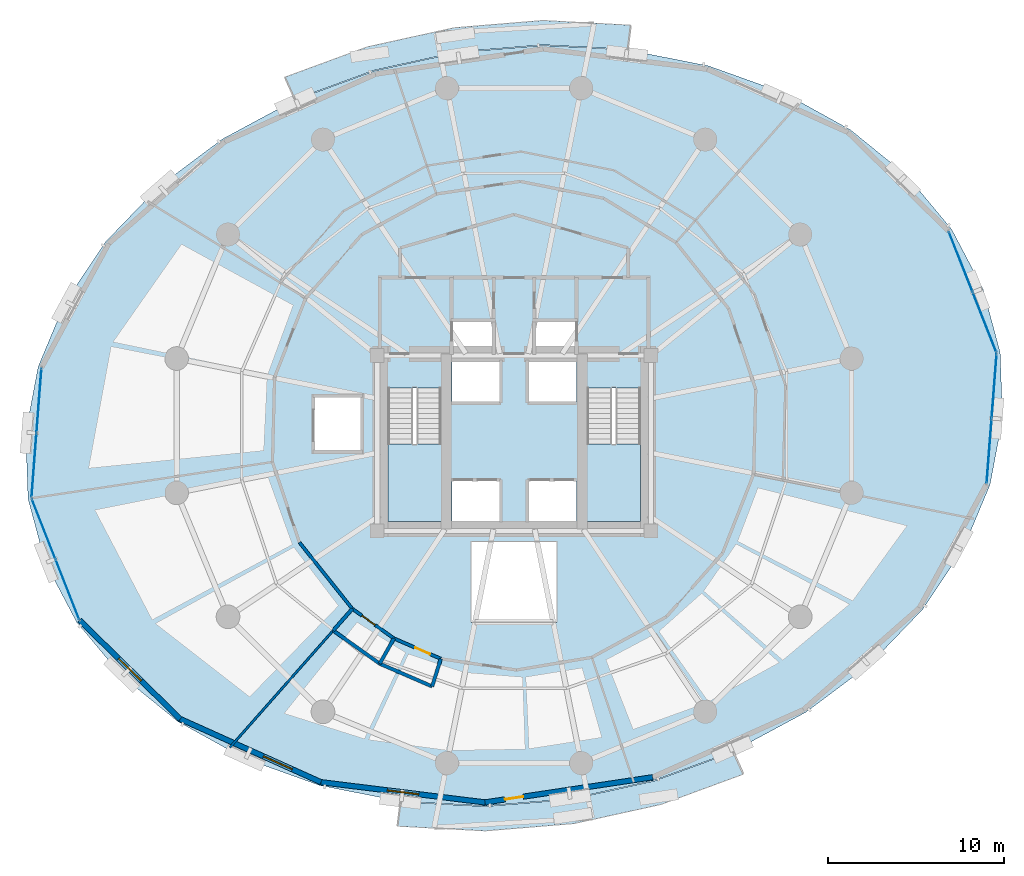
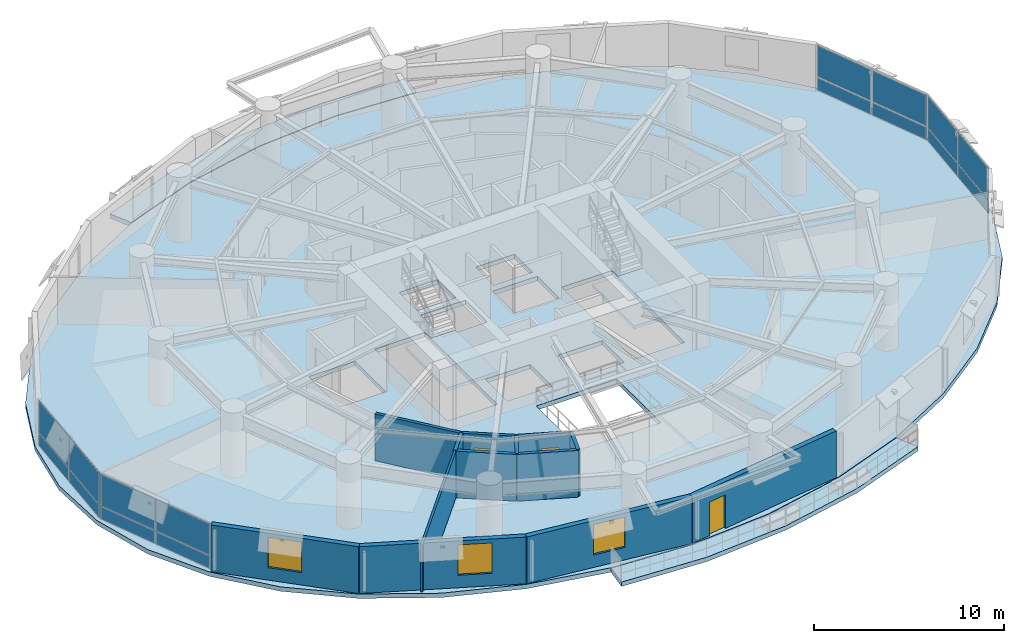
# One storey, part 11 of 17: 16 plates, 13 walls, 5 slabs, 3 doors, 3 windows, 6 openings, 6 elements without a shape of their own.
"""IFC4 building model written with IfcOpenShell, lengths in metres."""

import ifcopenshell
import ifcopenshell.guid

model = None  # the IFC model being written
_history = None  # IfcOwnerHistory: only IFC2X3 demands one
_inside = {}  # id of a spatial element -> (the spatial element, [elements in it])
_under = {}  # id of a project, library or spatial element -> (it, [spatial elements below it])
_declared = {}  # id of a project -> (the project, [libraries it declares])
_typed = {}  # id of a type object -> (the type object, [elements of that type])
_made_of = {}  # id of a material, layer set ... -> (it, [elements and type objects made of it])


def new_model(schema):
    """Start an empty IFC model of exactly this schema.

    Asked for "IFC4X3", IfcOpenShell would pick the latest addendum, in which some entities
    have other attributes; the version numbers below select the first issue.
    IFC2X3 requires an IfcOwnerHistory on every rooted entity: one is made here for all.
    """
    global model, _history
    if schema == "IFC4X3":
        model = ifcopenshell.file(schema_version=(4, 3, 0, 0))
    else:
        model = ifcopenshell.file(schema=schema)
    _inside.clear()
    _under.clear()
    _declared.clear()
    _typed.clear()
    _made_of.clear()
    _history = None
    if model.schema == "IFC2X3":
        org = make("IfcOrganization", Name="unknown")
        user = make(
            "IfcPersonAndOrganization",
            ThePerson=make("IfcPerson", FamilyName="unknown"),
            TheOrganization=org,
        )
        app = make(
            "IfcApplication",
            ApplicationDeveloper=org,
            Version="unknown",
            ApplicationFullName="unknown",
            ApplicationIdentifier="unknown",
        )
        _history = make(
            "IfcOwnerHistory",
            OwningUser=user,
            OwningApplication=app,
            ChangeAction="ADDED",
            CreationDate=0,
        )
    return model


def make(cls, **values):
    """One entity of the class cls with the attributes given. An attribute that is None is left unset."""
    return model.create_entity(
        cls, **{name: value for name, value in values.items() if value is not None}
    )


def rooted(cls, **values):
    """An entity with a GlobalId (a new one), such as an element, a storey or a relation."""
    return make(cls, GlobalId=ifcopenshell.guid.new(), OwnerHistory=_history, **values)


def si_unit(unit_type, name, prefix=None):
    """IfcSIUnit, for example si_unit("LENGTHUNIT", "METRE", prefix="MILLI")."""
    return make("IfcSIUnit", UnitType=unit_type, Prefix=prefix, Name=name)


def assignment(units):
    """IfcUnitAssignment: the units of a project."""
    return None if units is None else make("IfcUnitAssignment", Units=units)


def point(xyz):
    """IfcCartesianPoint."""
    return None if xyz is None else make("IfcCartesianPoint", Coordinates=xyz)


def direction(xyz):
    """IfcDirection."""
    return None if xyz is None else make("IfcDirection", DirectionRatios=xyz)


def frame(location, z_axis=None, x_axis=None):
    """IfcAxis2Placement3D, a coordinate frame: its origin and axes. An axis left out is left unset."""
    return make(
        "IfcAxis2Placement3D",
        Location=point(location),
        Axis=direction(z_axis),
        RefDirection=direction(x_axis),
    )


def frame_2d(location, x_axis=None):
    """IfcAxis2Placement2D, a coordinate frame in the plane: its origin and x axis."""
    return make(
        "IfcAxis2Placement2D", Location=point(location), RefDirection=direction(x_axis)
    )


def origin():
    """The frame at (0, 0, 0) with its axes left unset."""
    return frame((0.0, 0.0, 0.0))


def origin_2d():
    """The frame at (0, 0) in the plane with its x axis left unset."""
    return frame_2d((0.0, 0.0))


def place(relative_to, where):
    """IfcLocalPlacement: puts the frame where relative to a parent placement (None: the world)."""
    return make(
        "IfcLocalPlacement", PlacementRelTo=relative_to, RelativePlacement=where
    )


def context(
    kind, dimensions, precision=None, world=None, true_north=None, identifier=None
):
    """IfcGeometricRepresentationContext, for example the 3D "Model" context."""
    return make(
        "IfcGeometricRepresentationContext",
        ContextIdentifier=identifier,
        ContextType=kind,
        CoordinateSpaceDimension=dimensions,
        Precision=precision,
        WorldCoordinateSystem=world,
        TrueNorth=true_north,
    )


def subcontext(parent, identifier, kind, view, scale=None):
    """IfcGeometricRepresentationSubContext, for example "Body" below "Model"."""
    return make(
        "IfcGeometricRepresentationSubContext",
        ContextIdentifier=identifier,
        ContextType=kind,
        ParentContext=parent,
        TargetScale=scale,
        TargetView=view,
    )


def project(units=None, contexts=None):
    """IfcProject with its units and contexts."""
    return rooted(
        "IfcProject",
        Name="project",
        RepresentationContexts=contexts,
        UnitsInContext=assignment(units),
    )


def spatial(cls, under=None, at=None, **own):
    """A site, building, storey or space (cls), placed at a placement, below another one or the project."""
    s = rooted(cls, ObjectPlacement=at, **own)
    if under is not None:
        _under.setdefault(under.id(), (under, []))[1].append(s)
    return s


def polyline(points):
    """IfcPolyline through the points."""
    return make("IfcPolyline", Points=[point(p) for p in points])


def profile(cls, at=None, kind="AREA", **sizes):
    """A parametric profile (cls). Its sizes go by their IFC names, for example OverallWidth=200.0."""
    return make(cls, ProfileType=kind, Position=at, **sizes)


def rectangle(**sizes):
    """IfcRectangleProfileDef."""
    return profile("IfcRectangleProfileDef", **sizes)


def outline(outer, holes=None, kind="AREA"):
    """IfcArbitraryClosedProfileDef: a profile drawn as a closed curve; with holes, ...WithVoids."""
    if holes is None:
        return make("IfcArbitraryClosedProfileDef", ProfileType=kind, OuterCurve=outer)
    return make(
        "IfcArbitraryProfileDefWithVoids",
        ProfileType=kind,
        OuterCurve=outer,
        InnerCurves=holes,
    )


def extrude(swept, where, along, depth):
    """IfcExtrudedAreaSolid: the profile swept, set in the frame where, extruded along a direction by depth."""
    return make(
        "IfcExtrudedAreaSolid",
        SweptArea=swept,
        Position=where,
        ExtrudedDirection=direction(along),
        Depth=depth,
    )


def shape(context_of_items, identifier, shape_type, items):
    """IfcShapeRepresentation: the items that make up one representation, for example the "Body"."""
    return make(
        "IfcShapeRepresentation",
        ContextOfItems=context_of_items,
        RepresentationIdentifier=identifier,
        RepresentationType=shape_type,
        Items=items,
    )


def material(Name=None, Category=None):
    """IfcMaterial."""
    return make("IfcMaterial", Name=Name, Category=Category)


def layer(
    of_material, thickness, ventilated=None, Name=None, Category=None, Priority=None
):
    """IfcMaterialLayer: one layer of a wall or slab, of a material (None: an air gap)."""
    return make(
        "IfcMaterialLayer",
        Material=of_material,
        LayerThickness=thickness,
        IsVentilated=ventilated,
        Name=Name,
        Category=Category,
        Priority=Priority,
    )


def layer_set(layers, Name=None):
    """IfcMaterialLayerSet."""
    return make("IfcMaterialLayerSet", MaterialLayers=layers, LayerSetName=Name)


def made_of(thing, what):
    """Note that an element or type object is made of a material, layer set ...; save() writes the relation."""
    if what is not None:
        _made_of.setdefault(what.id(), (what, []))[1].append(thing)
    return thing


def type_object(cls, material=None, **own):
    """A type object (cls), such as IfcWallType, which elements share."""
    return made_of(rooted(cls, **own), material)


def element(
    cls,
    number,
    at=None,
    inside=None,
    cuts=None,
    type_object=None,
    material=None,
    context=None,
    identifier="Body",
    shape_type=None,
    held_by="IfcProductDefinitionShape",
    body=None,
    shapes=None,
    **own,
):
    """One element of the class cls, such as IfcWall. Its Tag is "e" and its number.

    at: its placement. inside: the storey or other place that contains it. cuts: it is an
    opening in that element (IfcRelVoidsElement). A single representation is given by context,
    identifier, shape_type and body (its items); several are given by shapes. held_by: the class
    of the entity that holds the representations. save() writes the other relations.
    """
    e = rooted(cls, Tag="e%d" % number, ObjectPlacement=at, **own)
    if body is not None:
        shapes = [shape(context, identifier, shape_type, body)]
    if shapes is not None:
        e.Representation = make(held_by, Representations=shapes)
    if inside is not None:
        _inside.setdefault(inside.id(), (inside, []))[1].append(e)
    if cuts is not None:
        rooted(
            "IfcRelVoidsElement", RelatingBuildingElement=cuts, RelatedOpeningElement=e
        )
    if type_object is not None:
        _typed.setdefault(type_object.id(), (type_object, []))[1].append(e)
    return made_of(e, material)


def fill(opening, filler):
    """IfcRelFillsElement: the door or window that sits in an opening."""
    return rooted(
        "IfcRelFillsElement",
        RelatingOpeningElement=opening,
        RelatedBuildingElement=filler,
    )


def aggregate(whole, parts):
    """IfcRelAggregates: a whole, such as a stair, and the parts it consists of."""
    return rooted("IfcRelAggregates", RelatingObject=whole, RelatedObjects=parts)


def save(model, path):
    """Write the relations noted so far, then the file.

    IfcRelAggregates (storeys below a building ...), IfcRelContainedInSpatialStructure (elements
    in a storey), IfcRelDefinesByType, IfcRelAssociatesMaterial and IfcRelDeclares: one each for
    every whole, place, type object, material and project.
    """
    for whole, parts in _under.values():
        aggregate(whole, parts)
    for where, things in _inside.values():
        rooted(
            "IfcRelContainedInSpatialStructure",
            RelatedElements=things,
            RelatingStructure=where,
        )
    for kind, things in _typed.values():
        rooted("IfcRelDefinesByType", RelatedObjects=things, RelatingType=kind)
    for what, things in _made_of.values():
        rooted("IfcRelAssociatesMaterial", RelatedObjects=things, RelatingMaterial=what)
    for by, libraries in _declared.values():
        rooted("IfcRelDeclares", RelatingContext=by, RelatedDefinitions=libraries)
    model.write(path)


model = new_model("IFC4")

# Units and contexts
model_context = context("Model", 3, precision=1e-05, world=origin(), true_north=direction((0.0, 1.0)))
body_context = subcontext(model_context, "Body", "Model", "MODEL_VIEW")
ifc_project = project(units=[si_unit("LENGTHUNIT", "METRE"), si_unit("AREAUNIT", "SQUARE_METRE"), si_unit("VOLUMEUNIT", "CUBIC_METRE"), si_unit("PLANEANGLEUNIT", "RADIAN"), si_unit("MASSUNIT", "GRAM", prefix="KILO"), si_unit("THERMODYNAMICTEMPERATUREUNIT", "KELVIN"), si_unit("POWERUNIT", "WATT")], contexts=[model_context])

# Site, building, storey
site_placement = place(None, origin())
site = spatial("IfcSite", under=ifc_project, at=site_placement, CompositionType="ELEMENT")
building_placement = place(site_placement, origin())
building = spatial("IfcBuilding", under=site, at=building_placement, Name="Ocrelia Relay Tower", CompositionType="ELEMENT")
storey_placement = place(building_placement, frame((0.0, 0.0, 67.800048828125)))
storey = spatial("IfcBuildingStorey", under=building, at=storey_placement, Name="L15", CompositionType="ELEMENT", Elevation=67.800048828125)

# Curtain wall, plates
ifc_material_1 = material(Name="Aluminium and solar-control low-E glass", Category="aluminium")
ifc_layer_1 = layer(ifc_material_1, 0.179931640625, Name="Aluminium and solar-control low-E glass")
ifc_layer_set_1 = layer_set([ifc_layer_1], Name="Aluminium and solar-control low-E glass")
curtain_wall_type = type_object("IfcCurtainWallType", Name="CW-SYS-Z1-DATA", PredefinedType="NOTDEFINED", material=ifc_layer_set_1)
curtain_wall_1_placement = place(storey_placement, origin())
curtain_wall_1 = element("IfcCurtainWall", 1, at=curtain_wall_1_placement, inside=storey, type_object=curtain_wall_type, Name="L15 Elliptical Tower Curtain Wall Bay 01", PredefinedType="NOTDEFINED")
ifc_material_2 = material(Name="Clear double-glazed low-E glass", Category="glass")
ifc_layer_2 = layer(ifc_material_2, 0.031982421875, Name="Clear double-glazed low-E glass")
ifc_layer_set_2 = layer_set([ifc_layer_2], Name="Clear double-glazed low-E glass")
plate_type = type_object("IfcPlateType", Name="CW-SYS-Z1-DATA-PNL", PredefinedType="CURTAIN_PANEL", material=ifc_layer_set_2)
plate_1_placement = place(storey_placement, frame((60.79931640625, 31.88818359375, 0.06494140625), z_axis=(0.0, 0.0, 1.0), x_axis=(-0.366666983645, 0.930352257537, 0.0)))
plate_1 = element("IfcPlate", 2, at=plate_1_placement, type_object=plate_type, Name="CW-Z1 panel 1.1", PredefinedType="CURTAIN_PANEL", context=body_context, shape_type="SweptSolid", body=[
    extrude(rectangle(XDim=3.6328125, YDim=0.031982421875, at=origin_2d()), origin(), (0.0, 0.0, 1.0), 0.802490234375),
])
plate_2_placement = place(storey_placement, frame((60.79931640625, 31.88818359375, 0.932373046875), z_axis=(0.0, 0.0, 1.0), x_axis=(-0.366666983645, 0.930352257537, 0.0)))
plate_2 = element("IfcPlate", 3, at=plate_2_placement, type_object=plate_type, Name="CW-Z1 panel 1.2", PredefinedType="CURTAIN_PANEL", context=body_context, shape_type="SweptSolid", body=[
    extrude(rectangle(XDim=3.6328125, YDim=0.031982421875, at=origin_2d()), origin(), (0.0, 0.0, 1.0), 2.00244140625),
])
plate_3_placement = place(storey_placement, frame((59.441650390625, 35.3330078125, 0.06494140625), z_axis=(0.0, 0.0, 1.0), x_axis=(-0.366666983645, 0.930352257537, 0.0)))
plate_3 = element("IfcPlate", 4, at=plate_3_placement, type_object=plate_type, Name="CW-Z1 panel 2.1", PredefinedType="CURTAIN_PANEL", context=body_context, shape_type="SweptSolid", body=[
    extrude(rectangle(XDim=3.6328125, YDim=0.031982421875, at=origin_2d()), origin(), (0.0, 0.0, 1.0), 0.802490234375),
])
plate_4_placement = place(storey_placement, frame((59.441650390625, 35.3330078125, 0.932373046875), z_axis=(0.0, 0.0, 1.0), x_axis=(-0.366666983645, 0.930352257537, 0.0)))
plate_4 = element("IfcPlate", 5, at=plate_4_placement, type_object=plate_type, Name="CW-Z1 panel 2.2", PredefinedType="CURTAIN_PANEL", context=body_context, shape_type="SweptSolid", body=[
    extrude(rectangle(XDim=3.6328125, YDim=0.031982421875, at=origin_2d()), origin(), (0.0, 0.0, 1.0), 2.00244140625),
])
aggregate(curtain_wall_1, [plate_1, plate_2, plate_3, plate_4])

curtain_wall_2_placement = place(storey_placement, origin())
curtain_wall_2 = element("IfcCurtainWall", 6, at=curtain_wall_2_placement, inside=storey, type_object=curtain_wall_type, Name="L15 Elliptical Tower Curtain Wall Bay 09", PredefinedType="NOTDEFINED")
plate_5_placement = place(storey_placement, frame((6.938720703125, 27.439453125, 0.06494140625), z_axis=(0.0, 0.0, 1.0), x_axis=(-0.076891882558, -0.997039436731, 0.0)))
plate_5 = element("IfcPlate", 7, at=plate_5_placement, type_object=plate_type, Name="CW-Z1 panel 1.1", PredefinedType="CURTAIN_PANEL", context=body_context, shape_type="SweptSolid", body=[
    extrude(rectangle(XDim=3.6328125, YDim=0.031982421875, at=origin_2d()), origin(), (0.0, 0.0, 1.0), 0.802490234375),
])
plate_6_placement = place(storey_placement, frame((6.938720703125, 27.439453125, 0.932373046875), z_axis=(0.0, 0.0, 1.0), x_axis=(-0.076891882558, -0.997039436731, 0.0)))
plate_6 = element("IfcPlate", 8, at=plate_6_placement, type_object=plate_type, Name="CW-Z1 panel 1.2", PredefinedType="CURTAIN_PANEL", context=body_context, shape_type="SweptSolid", body=[
    extrude(rectangle(XDim=3.6328125, YDim=0.031982421875, at=origin_2d()), origin(), (0.0, 0.0, 1.0), 2.00244140625),
])
plate_7_placement = place(storey_placement, frame((6.654052734375, 23.74755859375, 0.06494140625), z_axis=(0.0, 0.0, 1.0), x_axis=(-0.076891882558, -0.997039436731, 0.0)))
plate_7 = element("IfcPlate", 9, at=plate_7_placement, type_object=plate_type, Name="CW-Z1 panel 2.1", PredefinedType="CURTAIN_PANEL", context=body_context, shape_type="SweptSolid", body=[
    extrude(rectangle(XDim=3.6328125, YDim=0.031982421875, at=origin_2d()), origin(), (0.0, 0.0, 1.0), 0.802490234375),
])
plate_8_placement = place(storey_placement, frame((6.654052734375, 23.74755859375, 0.932373046875), z_axis=(0.0, 0.0, 1.0), x_axis=(-0.076891882558, -0.997039436731, 0.0)))
plate_8 = element("IfcPlate", 10, at=plate_8_placement, type_object=plate_type, Name="CW-Z1 panel 2.2", PredefinedType="CURTAIN_PANEL", context=body_context, shape_type="SweptSolid", body=[
    extrude(rectangle(XDim=3.6328125, YDim=0.031982421875, at=origin_2d()), origin(), (0.0, 0.0, 1.0), 2.00244140625),
])
aggregate(curtain_wall_2, [plate_5, plate_6, plate_7, plate_8])

curtain_wall_3_placement = place(storey_placement, origin())
curtain_wall_3 = element("IfcCurtainWall", 11, at=curtain_wall_3_placement, inside=storey, type_object=curtain_wall_type, Name="L15 Elliptical Tower Curtain Wall Bay 10", PredefinedType="NOTDEFINED")
plate_9_placement = place(storey_placement, frame((7.20068359375, 20.11181640625, 0.06494140625), z_axis=(0.0, 0.0, 1.0), x_axis=(0.366666983645, -0.930352257537, 0.0)))
plate_9 = element("IfcPlate", 12, at=plate_9_placement, type_object=plate_type, Name="CW-Z1 panel 1.1", PredefinedType="CURTAIN_PANEL", context=body_context, shape_type="SweptSolid", body=[
    extrude(rectangle(XDim=3.6328125, YDim=0.031982421875, at=origin_2d()), origin(), (0.0, 0.0, 1.0), 0.802490234375),
])
plate_10_placement = place(storey_placement, frame((7.20068359375, 20.11181640625, 0.932373046875), z_axis=(0.0, 0.0, 1.0), x_axis=(0.366666983645, -0.930352257537, 0.0)))
plate_10 = element("IfcPlate", 13, at=plate_10_placement, type_object=plate_type, Name="CW-Z1 panel 1.2", PredefinedType="CURTAIN_PANEL", context=body_context, shape_type="SweptSolid", body=[
    extrude(rectangle(XDim=3.6328125, YDim=0.031982421875, at=origin_2d()), origin(), (0.0, 0.0, 1.0), 2.00244140625),
])
plate_11_placement = place(storey_placement, frame((8.558349609375, 16.6669921875, 0.06494140625), z_axis=(0.0, 0.0, 1.0), x_axis=(0.366666983645, -0.930352257537, 0.0)))
plate_11 = element("IfcPlate", 14, at=plate_11_placement, type_object=plate_type, Name="CW-Z1 panel 2.1", PredefinedType="CURTAIN_PANEL", context=body_context, shape_type="SweptSolid", body=[
    extrude(rectangle(XDim=3.6328125, YDim=0.031982421875, at=origin_2d()), origin(), (0.0, 0.0, 1.0), 0.802490234375),
])
plate_12_placement = place(storey_placement, frame((8.558349609375, 16.6669921875, 0.932373046875), z_axis=(0.0, 0.0, 1.0), x_axis=(0.366666983645, -0.930352257537, 0.0)))
plate_12 = element("IfcPlate", 15, at=plate_12_placement, type_object=plate_type, Name="CW-Z1 panel 2.2", PredefinedType="CURTAIN_PANEL", context=body_context, shape_type="SweptSolid", body=[
    extrude(rectangle(XDim=3.6328125, YDim=0.031982421875, at=origin_2d()), origin(), (0.0, 0.0, 1.0), 2.00244140625),
])
aggregate(curtain_wall_3, [plate_9, plate_10, plate_11, plate_12])

curtain_wall_4_placement = place(storey_placement, origin())
curtain_wall_4 = element("IfcCurtainWall", 16, at=curtain_wall_4_placement, inside=storey, type_object=curtain_wall_type, Name="L15 Elliptical Tower Curtain Wall Bay 18", PredefinedType="NOTDEFINED")
plate_13_placement = place(storey_placement, frame((61.061279296875, 24.560546875, 0.06494140625), z_axis=(0.0, 0.0, 1.0), x_axis=(0.076891882558, 0.997039436731, 0.0)))
plate_13 = element("IfcPlate", 17, at=plate_13_placement, type_object=plate_type, Name="CW-Z1 panel 1.1", PredefinedType="CURTAIN_PANEL", context=body_context, shape_type="SweptSolid", body=[
    extrude(rectangle(XDim=3.6328125, YDim=0.031982421875, at=origin_2d()), origin(), (0.0, 0.0, 1.0), 0.802490234375),
])
plate_14_placement = place(storey_placement, frame((61.061279296875, 24.560546875, 0.932373046875), z_axis=(0.0, 0.0, 1.0), x_axis=(0.076891882558, 0.997039436731, 0.0)))
plate_14 = element("IfcPlate", 18, at=plate_14_placement, type_object=plate_type, Name="CW-Z1 panel 1.2", PredefinedType="CURTAIN_PANEL", context=body_context, shape_type="SweptSolid", body=[
    extrude(rectangle(XDim=3.6328125, YDim=0.031982421875, at=origin_2d()), origin(), (0.0, 0.0, 1.0), 2.00244140625),
])
plate_15_placement = place(storey_placement, frame((61.345947265625, 28.25244140625, 0.06494140625), z_axis=(0.0, 0.0, 1.0), x_axis=(0.076891882558, 0.997039436731, 0.0)))
plate_15 = element("IfcPlate", 19, at=plate_15_placement, type_object=plate_type, Name="CW-Z1 panel 2.1", PredefinedType="CURTAIN_PANEL", context=body_context, shape_type="SweptSolid", body=[
    extrude(rectangle(XDim=3.6328125, YDim=0.031982421875, at=origin_2d()), origin(), (0.0, 0.0, 1.0), 0.802490234375),
])
plate_16_placement = place(storey_placement, frame((61.345947265625, 28.25244140625, 0.932373046875), z_axis=(0.0, 0.0, 1.0), x_axis=(0.076891882558, 0.997039436731, 0.0)))
plate_16 = element("IfcPlate", 20, at=plate_16_placement, type_object=plate_type, Name="CW-Z1 panel 2.2", PredefinedType="CURTAIN_PANEL", context=body_context, shape_type="SweptSolid", body=[
    extrude(rectangle(XDim=3.6328125, YDim=0.031982421875, at=origin_2d()), origin(), (0.0, 0.0, 1.0), 2.00244140625),
])
aggregate(curtain_wall_4, [plate_13, plate_14, plate_15, plate_16])

# Slabs
ifc_material_3 = material(Name="Precast concrete C40/50", Category="concrete")
ifc_layer_3 = layer(ifc_material_3, 0.280029296875, Name="Precast concrete C40/50")
ifc_layer_set_3 = layer_set([ifc_layer_3], Name="Precast concrete C40/50")
slab_type_1 = type_object("IfcSlabType", Name="SL-BALC-280", PredefinedType="FLOOR", material=ifc_layer_set_3)
slab_1_placement = place(storey_placement, frame((0.0, 0.0, -0.280029296875)))
element("IfcSlab", 21, at=slab_1_placement, inside=storey, type_object=slab_type_1, Name="L15 Planted Loggia Balcony B1", PredefinedType="FLOOR", context=body_context, shape_type="SweptSolid", body=[
    extrude(outline(polyline([(40.47021484375, 47.432373046875), (38.06494140625, 47.561767578125), (35.659912109375, 47.69091796875), (30.799072265625, 47.290771484375), (26.03564453125, 46.244140625), (23.774658203125, 45.413330078125), (21.513916015625, 44.58251953125), (20.9423828125, 45.853515625), (23.293701171875, 46.71728515625), (25.64501953125, 47.581298828125), (30.591796875, 48.66845703125), (35.639892578125, 49.083984375), (38.141357421875, 48.94970703125), (40.642578125, 48.815185546875), (40.47021484375, 47.432373046875)])), origin(), (0.0, 0.0, 1.0), 0.280029296875),
])
slab_2_placement = place(storey_placement, frame((0.0, 0.0, -0.280029296875)))
element("IfcSlab", 22, at=slab_2_placement, inside=storey, type_object=slab_type_1, Name="L15 Planted Loggia Balcony B2", PredefinedType="FLOOR", context=body_context, shape_type="SweptSolid", body=[
    extrude(outline(polyline([(27.52978515625, 4.567626953125), (29.93505859375, 4.438232421875), (32.340087890625, 4.30908203125), (37.200927734375, 4.709228515625), (41.96435546875, 5.755859375), (44.225341796875, 6.586669921875), (46.486083984375, 7.41748046875), (47.0576171875, 6.146484375), (44.706298828125, 5.28271484375), (42.35498046875, 4.418701171875), (37.408203125, 3.33154296875), (32.360107421875, 2.916015625), (29.858642578125, 3.05029296875), (27.357421875, 3.184814453125), (27.52978515625, 4.567626953125)])), origin(), (0.0, 0.0, 1.0), 0.280029296875),
])
ifc_material_4 = material(Name="Concrete C50/60", Category="concrete")
ifc_layer_4 = layer(ifc_material_4, 0.280029296875, Name="Concrete C50/60")
ifc_layer_set_4 = layer_set([ifc_layer_4], Name="Concrete C50/60")
slab_type_2 = type_object("IfcSlabType", Name="SL-FLR-280", PredefinedType="FLOOR", material=ifc_layer_set_4)
slab_3_placement = place(storey_placement, frame((0.0, 0.0, -0.280029296875)))
element("IfcSlab", 23, at=slab_3_placement, inside=storey, type_object=slab_type_2, Name="L15 Elliptical Tower Floor Slab", PredefinedType="FLOOR", context=body_context, shape_type="SweptSolid", body=[
    extrude(outline(polyline([(61.688720703125, 30.162841796875), (60.713134765625, 33.79150390625), (58.92578125, 37.18359375), (56.381103515625, 40.235595703125), (53.15625, 42.855224609375), (49.349365234375, 44.962646484375), (45.076171875, 46.493896484375), (40.46630859375, 47.402587890625), (35.66015625, 47.660888671875), (30.803466796875, 47.260986328125), (26.0439453125, 46.215087890625), (21.526123046875, 44.55517578125), (17.387451171875, 42.331298828125), (13.75341796875, 39.611083984375), (10.734619140625, 36.477294921875), (8.422607421875, 33.025390625), (6.8876953125, 29.35986328125), (6.1767578125, 25.59228515625), (6.311279296875, 21.837158203125), (7.286865234375, 18.20849609375), (9.07421875, 14.81640625), (11.618896484375, 11.764404296875), (14.84375, 9.144775390625), (18.650634765625, 7.037353515625), (22.923828125, 5.506103515625), (27.53369140625, 4.597412109375), (32.33984375, 4.339111328125), (37.196533203125, 4.739013671875), (41.9560546875, 5.784912109375), (46.473876953125, 7.44482421875), (50.612548828125, 9.668701171875), (54.24658203125, 12.388916015625), (57.265380859375, 15.522705078125), (59.577392578125, 18.974609375), (61.1123046875, 22.64013671875), (61.8232421875, 26.40771484375), (61.688720703125, 30.162841796875)]), holes=[polyline([(26.81005859375, 28.14990234375), (26.81005859375, 20.550048828125), (29.85009765625, 20.550048828125), (29.85009765625, 28.14990234375), (26.81005859375, 28.14990234375)]), polyline([(38.159912109375, 28.14990234375), (38.159912109375, 20.550048828125), (41.199951171875, 20.550048828125), (41.199951171875, 28.14990234375), (38.159912109375, 28.14990234375)]), polyline([(30.4599609375, 20.550048828125), (33.159912109375, 20.550048828125), (33.159912109375, 22.85009765625), (30.4599609375, 22.85009765625), (30.4599609375, 20.550048828125)]), polyline([(34.840087890625, 20.550048828125), (37.5400390625, 20.550048828125), (37.5400390625, 22.85009765625), (34.840087890625, 22.85009765625), (34.840087890625, 20.550048828125)]), polyline([(30.4599609375, 27.35009765625), (33.159912109375, 27.35009765625), (33.159912109375, 29.64990234375), (30.4599609375, 29.64990234375), (30.4599609375, 27.35009765625)]), polyline([(34.840087890625, 27.35009765625), (37.5400390625, 27.35009765625), (37.5400390625, 29.64990234375), (34.840087890625, 29.64990234375), (34.840087890625, 27.35009765625)]), polyline([(30.5, 30.10009765625), (32.85009765625, 30.10009765625), (32.85009765625, 32.0), (30.5, 32.0), (30.5, 30.10009765625)]), polyline([(35.14990234375, 30.10009765625), (37.5, 30.10009765625), (37.5, 32.0), (35.14990234375, 32.0), (35.14990234375, 30.10009765625)]), polyline([(22.550048828125, 24.5), (25.35009765625, 24.5), (25.35009765625, 27.699951171875), (22.550048828125, 27.699951171875), (22.550048828125, 24.5)]), polyline([(31.550048828125, 14.800048828125), (36.449951171875, 14.800048828125), (36.449951171875, 19.39990234375), (31.550048828125, 19.39990234375), (31.550048828125, 14.800048828125)])]), origin(), (0.0, 0.0, 1.0), 0.280029296875),
])

# Stair, slab
stair_type = type_object("IfcStairType", Name="ST-DL-1420-R175", PredefinedType="HALF_TURN_STAIR", material=ifc_material_4)
stair_1_placement = place(storey_placement, origin())
stair_1 = element("IfcStair", 24, at=stair_1_placement, inside=storey, type_object=stair_type, Name="L15 West Core Exit Stair ST1", PredefinedType="HALF_TURN_STAIR")
ifc_layer_5 = layer(ifc_material_4, 0.199951171875, Name="Concrete C50/60")
ifc_layer_set_5 = layer_set([ifc_layer_5], Name="Concrete C50/60")
slab_type_3 = type_object("IfcSlabType", Name="SL-LANDING-200", PredefinedType="LANDING", material=ifc_layer_set_5)
slab_4_placement = place(storey_placement, frame((0.0, 0.0, 1.89990234375)))
slab_4 = element("IfcSlab", 25, at=slab_4_placement, type_object=slab_type_3, Name="ST1 landing 1", PredefinedType="LANDING", context=body_context, shape_type="SweptSolid", body=[
    extrude(outline(polyline([(26.81005859375, 24.9599609375), (26.81005859375, 20.550048828125), (29.85009765625, 20.550048828125), (29.85009765625, 24.9599609375), (26.81005859375, 24.9599609375)])), origin(), (0.0, 0.0, 1.0), 0.199951171875),
])
aggregate(stair_1, [slab_4])

stair_2_placement = place(storey_placement, origin())
stair_2 = element("IfcStair", 26, at=stair_2_placement, inside=storey, type_object=stair_type, Name="L15 East Core Exit Stair ST2", PredefinedType="HALF_TURN_STAIR")
slab_5_placement = place(storey_placement, frame((0.0, 0.0, 1.89990234375)))
slab_5 = element("IfcSlab", 27, at=slab_5_placement, type_object=slab_type_3, Name="ST2 landing 1", PredefinedType="LANDING", context=body_context, shape_type="SweptSolid", body=[
    extrude(outline(polyline([(38.159912109375, 24.9599609375), (38.159912109375, 20.550048828125), (41.199951171875, 20.550048828125), (41.199951171875, 24.9599609375), (38.159912109375, 24.9599609375)])), origin(), (0.0, 0.0, 1.0), 0.199951171875),
])
aggregate(stair_2, [slab_5])

# Wall, opening, door
ifc_material_5 = material(Name="Gypsum Fireboard Partition EI60", Category="gypsum")
ifc_layer_6 = layer(ifc_material_5, 0.179931640625, Name="Gypsum Fireboard Partition EI60")
ifc_layer_set_6 = layer_set([ifc_layer_6], Name="Gypsum Fireboard Partition EI60")
wall_type_1 = type_object("IfcWallType", Name="W-CORR-EI60-180", PredefinedType="PARTITIONING", material=ifc_layer_set_6)
wall_1_placement = place(storey_placement, frame((24.785400390625, 15.56640625, 0.0), z_axis=(0.0, 0.0, 1.0), x_axis=(0.814633812016, -0.57997564804, 0.0)))
wall_1 = element("IfcWall", 28, at=wall_1_placement, inside=storey, type_object=wall_type_1, Name="L15 Staff Toilet Corridor Wall", PredefinedType="PARTITIONING", context=body_context, shape_type="SweptSolid", body=[
    extrude(rectangle(XDim=2.909912109375, YDim=0.179931640625, at=frame_2d((1.455078125, 0.0))), origin(), (0.0, 0.0, 1.0), 3.0),
])
opening_1_placement = place(wall_1_placement, frame((0.6689453125, 0.0, 0.0)))
opening_1 = element("IfcOpeningElement", 29, at=opening_1_placement, cuts=wall_1, Name="Opening D-WC92", PredefinedType="OPENING", context=body_context, shape_type="SweptSolid", body=[
    extrude(rectangle(XDim=0.919921875, YDim=2.10009765625, at=frame_2d((0.4599609375, 1.050048828125))), frame((0.0, 0.10009765625, 0.0), z_axis=(0.0, -1.0, 0.0), x_axis=(1.0, 0.0, 0.0)), (0.0, 0.0, 1.0), 0.199951171875),
])
ifc_material_6 = material(Name="Laminate washroom door", Category="wood")
door_type_1 = type_object("IfcDoorType", Name="DR-WC-920", OperationType="NOTDEFINED", PredefinedType="DOOR", material=ifc_material_6)
door_1_placement = place(opening_1_placement, origin())
door_1 = element("IfcDoor", 30, at=door_1_placement, inside=storey, type_object=door_type_1, Name="L15 Staff Toilet Door", OperationType="SINGLE_SWING_RIGHT", OverallHeight=2.10009765625, OverallWidth=0.919921875, PredefinedType="DOOR", context=body_context, shape_type="SweptSolid", body=[
    extrude(rectangle(XDim=0.919921875, YDim=2.10009765625, at=frame_2d((0.4599609375, 1.050048828125))), frame((0.0, 0.02490234375, 0.0), z_axis=(0.0, -1.0, 0.0), x_axis=(1.0, 0.0, 0.0)), (0.0, 0.0, 1.0), 0.050048828125),
])
fill(opening_1, door_1)

wall_2_placement = place(storey_placement, frame((27.156005859375, 13.878662109375, 0.0), z_axis=(0.0, 0.0, 1.0), x_axis=(0.917417834148, -0.397925266334, 0.0)))
wall_2 = element("IfcWall", 31, at=wall_2_placement, inside=storey, type_object=wall_type_1, Name="L15 Accessible Toilet Corridor Wall", PredefinedType="PARTITIONING", context=body_context, shape_type="SweptSolid", body=[
    extrude(rectangle(XDim=2.909912109375, YDim=0.179931640625, at=frame_2d((1.455078125, 0.0))), origin(), (0.0, 0.0, 1.0), 3.0),
])
opening_2_placement = place(wall_2_placement, frame((1.321044921875, 0.0, 0.0)))
opening_2 = element("IfcOpeningElement", 32, at=opening_2_placement, cuts=wall_2, Name="Opening D-WC92", PredefinedType="OPENING", context=body_context, shape_type="SweptSolid", body=[
    extrude(rectangle(XDim=0.919921875, YDim=2.10009765625, at=frame_2d((0.4599609375, 1.050048828125))), frame((0.0, 0.10009765625, 0.0), z_axis=(0.0, -1.0, 0.0), x_axis=(1.0, 0.0, 0.0)), (0.0, 0.0, 1.0), 0.199951171875),
])
door_2_placement = place(opening_2_placement, origin())
door_2 = element("IfcDoor", 33, at=door_2_placement, inside=storey, type_object=door_type_1, Name="L15 Accessible Toilet Door", OperationType="SINGLE_SWING_LEFT", OverallHeight=2.10009765625, OverallWidth=0.919921875, PredefinedType="DOOR", context=body_context, shape_type="SweptSolid", body=[
    extrude(rectangle(XDim=0.919921875, YDim=2.10009765625, at=frame_2d((0.4599609375, 1.050048828125))), frame((0.0, 0.02490234375, 0.0), z_axis=(0.0, -1.0, 0.0), x_axis=(1.0, 0.0, 0.0)), (0.0, 0.0, 1.0), 0.050048828125),
])
fill(opening_2, door_2)

# Wall
wall_3_placement = place(storey_placement, frame((21.772705078125, 19.347412109375, 0.0), z_axis=(0.0, 0.0, 1.0), x_axis=(0.623166544039, -0.782089162685, 0.0)))
element("IfcWall", 34, at=wall_3_placement, inside=storey, type_object=wall_type_1, Name="L15 Network Monitoring Studio Corridor Partition 2", PredefinedType="PARTITIONING", context=body_context, shape_type="SweptSolid", body=[
    extrude(rectangle(XDim=4.83447265625, YDim=0.179931640625, at=frame_2d((2.417236328125, 0.0))), origin(), (0.0, 0.0, 1.0), 3.0),
])

# Wall, opening, window
ifc_material_7 = material(Name="Precast concrete C40/50 with oxide terracotta", Category="masonry")
ifc_layer_7 = layer(ifc_material_7, 0.300048828125, Name="Precast concrete C40/50 with oxide terracotta")
ifc_layer_set_7 = layer_set([ifc_layer_7], Name="Precast concrete C40/50 with oxide terracotta")
wall_type_2 = type_object("IfcWallType", Name="W-EXT-TERR-300", PredefinedType="SOLIDWALL", material=ifc_layer_set_7)
wall_4_placement = place(storey_placement, frame((9.25, 14.912109375, 0.0), z_axis=(0.0, 0.0, 1.0), x_axis=(0.713861292458, -0.70028712335, 0.0)))
wall_4 = element("IfcWall", 35, at=wall_4_placement, inside=storey, type_object=wall_type_2, Name="L15 Oxide Terracotta Facade Wall 11", PredefinedType="SOLIDWALL", context=body_context, shape_type="SweptSolid", body=[
    extrude(rectangle(XDim=8.021728515625, YDim=0.300048828125, at=frame_2d((4.0107421875, 0.0))), origin(), (0.0, 0.0, 1.0), 3.0),
])
opening_3_placement = place(wall_4_placement, frame((3.111083984375, 0.0, 0.800048828125)))
opening_3 = element("IfcOpeningElement", 36, at=opening_3_placement, cuts=wall_4, Name="Opening W-02", PredefinedType="OPENING", context=body_context, shape_type="SweptSolid", body=[
    extrude(rectangle(XDim=1.800048828125, YDim=1.949951171875, at=frame_2d((0.89990234375, 0.97509765625))), frame((0.0, 0.16015625, 0.0), z_axis=(0.0, -1.0, 0.0), x_axis=(1.0, 0.0, 0.0)), (0.0, 0.0, 1.0), 0.320068359375),
])
window_type = type_object("IfcWindowType", Name="WIN-Z1-1800x2100", PartitioningType="DOUBLE_PANEL_VERTICAL", PredefinedType="WINDOW", material=ifc_material_2)
window_1_placement = place(opening_3_placement, origin())
window_1 = element("IfcWindow", 37, at=window_1_placement, inside=storey, type_object=window_type, Name="L15 Facade Module Window 11", OverallHeight=1.949951171875, OverallWidth=1.800048828125, PartitioningType="SINGLE_PANEL", PredefinedType="WINDOW", context=body_context, shape_type="SweptSolid", body=[
    extrude(rectangle(XDim=1.800048828125, YDim=1.949951171875, at=frame_2d((0.89990234375, 0.97509765625))), frame((0.0, 0.030029296875, 0.0), z_axis=(0.0, -1.0, 0.0), x_axis=(1.0, 0.0, 0.0)), (0.0, 0.0, 1.0), 0.06005859375),
])
fill(opening_3, window_1)

wall_5_placement = place(storey_placement, frame((14.976318359375, 9.294677734375, 0.0), z_axis=(0.0, 0.0, 1.0), x_axis=(0.912205999873, -0.409731880376, 0.0)))
wall_5 = element("IfcWall", 38, at=wall_5_placement, inside=storey, type_object=wall_type_2, Name="L15 Oxide Terracotta Facade Wall 12", PredefinedType="SOLIDWALL", context=body_context, shape_type="SweptSolid", body=[
    extrude(rectangle(XDim=8.79248046875, YDim=0.300048828125, at=frame_2d((4.396240234375, 0.0))), origin(), (0.0, 0.0, 1.0), 3.0),
])
opening_4_placement = place(wall_5_placement, frame((5.201904296875, 0.0, 0.800048828125)))
opening_4 = element("IfcOpeningElement", 39, at=opening_4_placement, cuts=wall_5, Name="Opening W-02", PredefinedType="OPENING", context=body_context, shape_type="SweptSolid", body=[
    extrude(rectangle(XDim=1.800048828125, YDim=1.949951171875, at=frame_2d((0.89990234375, 0.97509765625))), frame((0.0, 0.16015625, 0.0), z_axis=(0.0, -1.0, 0.0), x_axis=(1.0, 0.0, 0.0)), (0.0, 0.0, 1.0), 0.320068359375),
])
window_2_placement = place(opening_4_placement, origin())
window_2 = element("IfcWindow", 40, at=window_2_placement, inside=storey, type_object=window_type, Name="L15 Facade Module Window 12", OverallHeight=1.949951171875, OverallWidth=1.800048828125, PartitioningType="SINGLE_PANEL", PredefinedType="WINDOW", context=body_context, shape_type="SweptSolid", body=[
    extrude(rectangle(XDim=1.800048828125, YDim=1.949951171875, at=frame_2d((0.89990234375, 0.97509765625))), frame((0.0, 0.030029296875, 0.0), z_axis=(0.0, -1.0, 0.0), x_axis=(1.0, 0.0, 0.0)), (0.0, 0.0, 1.0), 0.06005859375),
])
fill(opening_4, window_2)

wall_6_placement = place(storey_placement, frame((22.996826171875, 5.692138671875, 0.0), z_axis=(0.0, 0.0, 1.0), x_axis=(0.992477952792, -0.122423499466, 0.0)))
wall_6 = element("IfcWall", 41, at=wall_6_placement, inside=storey, type_object=wall_type_2, Name="L15 Oxide Terracotta Facade Wall 13", PredefinedType="SOLIDWALL", context=body_context, shape_type="SweptSolid", body=[
    extrude(rectangle(XDim=9.418701171875, YDim=0.300048828125, at=frame_2d((4.70947265625, 0.0))), origin(), (0.0, 0.0, 1.0), 3.0),
])
opening_5_placement = place(wall_6_placement, frame((3.80908203125, 0.0, 0.800048828125)))
opening_5 = element("IfcOpeningElement", 42, at=opening_5_placement, cuts=wall_6, Name="Opening W-02", PredefinedType="OPENING", context=body_context, shape_type="SweptSolid", body=[
    extrude(rectangle(XDim=1.800048828125, YDim=1.949951171875, at=frame_2d((0.89990234375, 0.97509765625))), frame((0.0, 0.16015625, 0.0), z_axis=(0.0, -1.0, 0.0), x_axis=(1.0, 0.0, 0.0)), (0.0, 0.0, 1.0), 0.320068359375),
])
window_3_placement = place(opening_5_placement, origin())
window_3 = element("IfcWindow", 43, at=window_3_placement, inside=storey, type_object=window_type, Name="L15 Facade Module Window 13", OverallHeight=1.949951171875, OverallWidth=1.800048828125, PartitioningType="SINGLE_PANEL", PredefinedType="WINDOW", context=body_context, shape_type="SweptSolid", body=[
    extrude(rectangle(XDim=1.800048828125, YDim=1.949951171875, at=frame_2d((0.89990234375, 0.97509765625))), frame((0.0, 0.030029296875, 0.0), z_axis=(0.0, -1.0, 0.0), x_axis=(1.0, 0.0, 0.0)), (0.0, 0.0, 1.0), 0.06005859375),
])
fill(opening_5, window_3)

# Wall, opening, door
wall_7_placement = place(storey_placement, frame((32.3447265625, 4.5390625, 0.0), z_axis=(0.0, 0.0, 1.0), x_axis=(0.988888262402, 0.148660702551, 0.0)))
wall_7 = element("IfcWall", 44, at=wall_7_placement, inside=storey, type_object=wall_type_2, Name="L15 Oxide Terracotta Facade Wall 14", PredefinedType="SOLIDWALL", context=body_context, shape_type="SweptSolid", body=[
    extrude(rectangle(XDim=9.65478515625, YDim=0.300048828125, at=frame_2d((4.827392578125, 0.0))), origin(), (0.0, 0.0, 1.0), 3.0),
])
opening_6_placement = place(wall_7_placement, frame((1.14990234375, 0.0, 0.0)))
opening_6 = element("IfcOpeningElement", 45, at=opening_6_placement, cuts=wall_7, Name="Opening DB-105", PredefinedType="OPENING", context=body_context, shape_type="SweptSolid", body=[
    extrude(rectangle(XDim=1.050048828125, YDim=2.14990234375, at=frame_2d((0.52490234375, 1.074951171875))), frame((0.0, 0.16015625, 0.0), z_axis=(0.0, -1.0, 0.0), x_axis=(1.0, 0.0, 0.0)), (0.0, 0.0, 1.0), 0.320068359375),
])
ifc_material_8 = material(Name="Thermally broken aluminium and clear glass", Category="aluminium")
door_type_2 = type_object("IfcDoorType", Name="DR-BALC-1050", OperationType="NOTDEFINED", PredefinedType="DOOR", material=ifc_material_8)
door_3_placement = place(opening_6_placement, origin())
door_3 = element("IfcDoor", 46, at=door_3_placement, inside=storey, type_object=door_type_2, Name="L15 Planted Loggia Balcony Door B2", OperationType="SINGLE_SWING_LEFT", OverallHeight=2.14990234375, OverallWidth=1.050048828125, PredefinedType="DOOR", context=body_context, shape_type="SweptSolid", body=[
    extrude(rectangle(XDim=1.050048828125, YDim=2.14990234375, at=frame_2d((0.52490234375, 1.074951171875))), frame((0.0, 0.02490234375, 0.0), z_axis=(0.0, -1.0, 0.0), x_axis=(1.0, 0.0, 0.0)), (0.0, 0.0, 1.0), 0.050048828125),
])
fill(opening_6, door_3)

# Walls
ifc_material_9 = material(Name="Acoustic Fireboard Partition EI60", Category="gypsum")
ifc_layer_8 = layer(ifc_material_9, 0.125, Name="Acoustic Fireboard Partition EI60")
ifc_layer_set_8 = layer_set([ifc_layer_8], Name="Acoustic Fireboard Partition EI60")
wall_type_3 = type_object("IfcWallType", Name="W-PART-125", PredefinedType="PARTITIONING", material=ifc_layer_set_8)
wall_8_placement = place(storey_placement, frame((23.693115234375, 14.329833984375, 0.0), z_axis=(0.0, 0.0, 1.0), x_axis=(-0.661956342433, -0.749542394206, 0.0)))
element("IfcWall", 47, at=wall_8_placement, inside=storey, type_object=wall_type_3, Name="L15 Operations Control Office A Radial Partition", PredefinedType="PARTITIONING", context=body_context, shape_type="SweptSolid", body=[
    extrude(rectangle(XDim=8.900390625, YDim=0.125, at=frame_2d((4.4501953125, 0.0))), origin(), (0.0, 0.0, 1.0), 3.0),
])
ifc_material_10 = material(Name="Moisture-Resistant Fireboard Chase Wall EI60", Category="gypsum")
ifc_layer_9 = layer(ifc_material_10, 0.199951171875, Name="Moisture-Resistant Fireboard Chase Wall EI60")
ifc_layer_set_9 = layer_set([ifc_layer_9], Name="Moisture-Resistant Fireboard Chase Wall EI60")
wall_type_4 = type_object("IfcWallType", Name="W-PLUMB-200", PredefinedType="PLUMBINGWALL", material=ifc_layer_set_9)
for number, where, z_axis, x_axis, name in (
    (48, (24.785400390625, 15.56640625, 0.0), (0.0, 0.0, 1.0), (-0.662027743921, -0.749479330121, 0.0), "L15 Staff Toilet Plumbing Radial Wall"),
    (49, (27.156005859375, 13.878662109375, 0.0), (0.0, 0.0, 1.0), (-0.491686664419, -0.870772199851, 0.0), "L15 Staff Toilet Plumbing Radial Wall"),
):
    element("IfcWall", number, at=place(storey_placement, frame(where, z_axis=z_axis, x_axis=x_axis)), inside=storey, type_object=wall_type_4, Name=name, PredefinedType="PLUMBINGWALL", context=body_context, shape_type="SweptSolid", body=[
        extrude(rectangle(XDim=1.64990234375, YDim=0.199951171875, at=frame_2d((0.824951171875, 0.0))), origin(), (0.0, 0.0, 1.0), 3.0),
    ])
wall_9_placement = place(storey_placement, frame((23.693115234375, 14.329833984375, 0.0), z_axis=(0.0, 0.0, 1.0), x_axis=(0.814614334094, -0.580003005759, 0.0)))
element("IfcWall", 50, at=wall_9_placement, inside=storey, type_object=wall_type_4, Name="L15 Staff Toilet Back Plumbing Wall", PredefinedType="PLUMBINGWALL", context=body_context, shape_type="SweptSolid", body=[
    extrude(rectangle(XDim=3.255126953125, YDim=0.199951171875, at=frame_2d((1.62744140625, 0.0))), origin(), (0.0, 0.0, 1.0), 3.0),
])
wall_10_placement = place(storey_placement, frame((29.82568359375, 12.720703125, 0.0), z_axis=(0.0, 0.0, 1.0), x_axis=(-0.299757344977, -0.954015478979, 0.0)))
element("IfcWall", 51, at=wall_10_placement, inside=storey, type_object=wall_type_4, Name="L15 Accessible Toilet Plumbing Radial Wall", PredefinedType="PLUMBINGWALL", context=body_context, shape_type="SweptSolid", body=[
    extrude(rectangle(XDim=1.650146484375, YDim=0.199951171875, at=frame_2d((0.8251953125, 0.0))), origin(), (0.0, 0.0, 1.0), 3.0),
])
wall_11_placement = place(storey_placement, frame((26.3447265625, 12.44189453125, 0.0), z_axis=(0.0, 0.0, 1.0), x_axis=(0.91740598036, -0.397952594162, 0.0)))
element("IfcWall", 52, at=wall_11_placement, inside=storey, type_object=wall_type_4, Name="L15 Accessible Toilet Back Plumbing Wall", PredefinedType="PLUMBINGWALL", context=body_context, shape_type="SweptSolid", body=[
    extrude(rectangle(XDim=3.255126953125, YDim=0.199951171875, at=frame_2d((1.62744140625, 0.0))), origin(), (0.0, 0.0, 1.0), 3.0),
])

save(model, "model.ifc")
